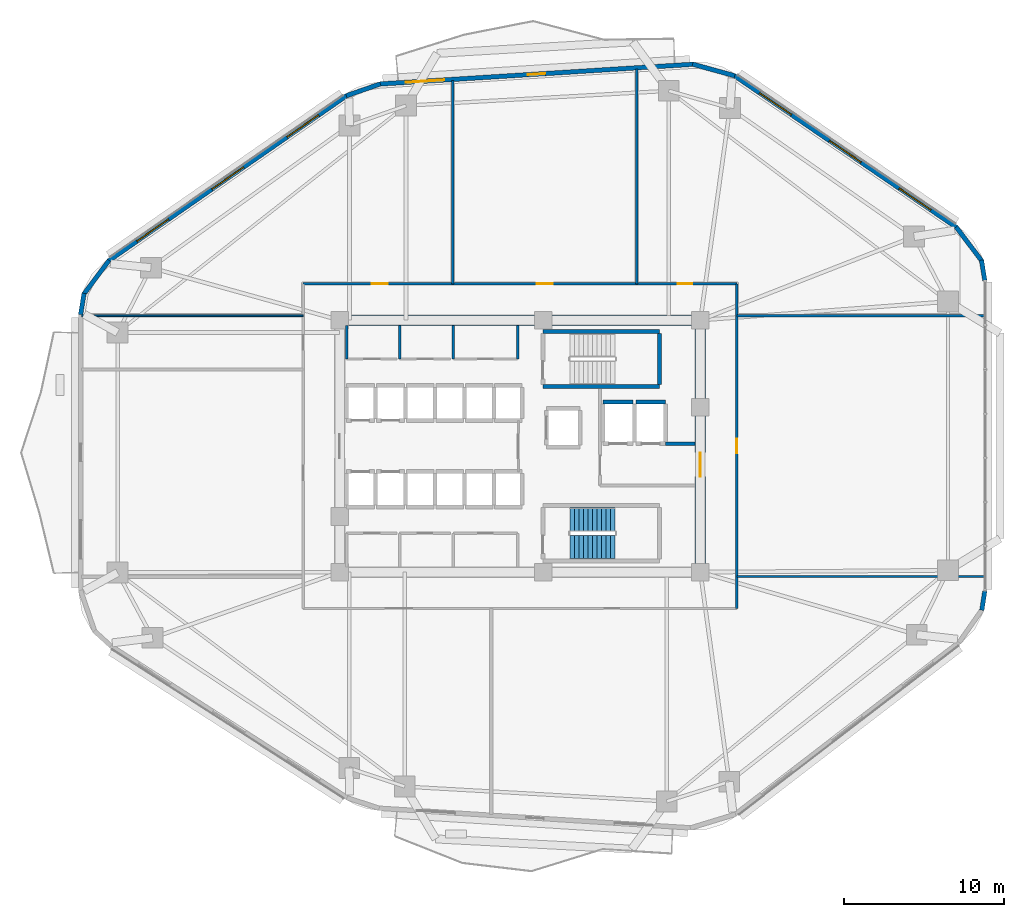
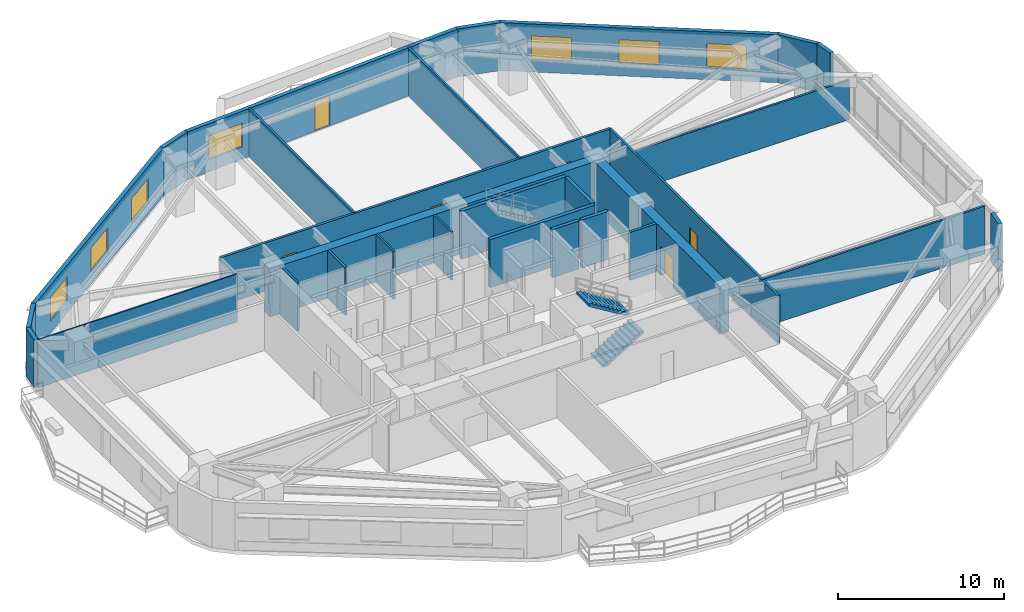
# One storey, part 10 of 14: 29 walls, 7 windows, 6 doors, 2 stair flights, 13 openings, 1 element without a shape of its own.
"""IFC4 building model written with IfcOpenShell, lengths in metres."""

from ifc_helpers import new_model, si_unit, direction, frame, frame_2d, origin, place, context, subcontext, project, spatial, polyline, rectangle, outline, extrude, material, layer, layer_set, type_object, element, fill, aggregate, save


model = new_model("IFC4")

# Units and contexts
model_context = context("Model", 3, precision=1e-05, world=origin(), true_north=direction((0.0, 1.0)))
body_context = subcontext(model_context, "Body", "Model", "MODEL_VIEW")
ifc_project = project(units=[si_unit("LENGTHUNIT", "METRE"), si_unit("AREAUNIT", "SQUARE_METRE"), si_unit("VOLUMEUNIT", "CUBIC_METRE"), si_unit("PLANEANGLEUNIT", "RADIAN"), si_unit("MASSUNIT", "GRAM", prefix="KILO")], contexts=[model_context])

# Site, building, storey
site_placement = place(None, origin())
site = spatial("IfcSite", under=ifc_project, at=site_placement, CompositionType="ELEMENT")
building_placement = place(site_placement, origin())
building = spatial("IfcBuilding", under=site, at=building_placement, Name="Zulverin Broadcast Headquarters", CompositionType="ELEMENT")
storey_placement = place(building_placement, frame((0.0, 0.0, 40.199951171875)))
storey = spatial("IfcBuildingStorey", under=building, at=storey_placement, Name="L09", CompositionType="ELEMENT", Elevation=40.199951171875)

# Wall
ifc_material_1 = material(Name="Concrete C60/75", Category="concrete")
ifc_layer_1 = layer(ifc_material_1, 0.64990234375, Name="Concrete C60/75", Category="concrete")
ifc_layer_set_1 = layer_set([ifc_layer_1], Name="Concrete C60/75")
wall_type_1 = type_object("IfcWallType", Name="WL-CORE-650", PredefinedType="SHEAR", material=ifc_layer_set_1)
wall_1_placement = place(storey_placement, frame((25.39990234375, 33.074951171875, 0.0), z_axis=(0.0, 0.0, 1.0), x_axis=(1.0, 0.0, 0.0)))
element("IfcWall", 1, at=wall_1_placement, inside=storey, type_object=wall_type_1, Name="L09 Core North Shear Wall", PredefinedType="SHEAR", context=body_context, shape_type="SweptSolid", body=[
    extrude(rectangle(XDim=23.2001953125, YDim=0.64990234375, at=frame_2d((11.60009765625, 0.0))), origin(), (0.0, 0.0, 1.0), 3.525146484375),
])

# Wall, opening, door
wall_2_placement = place(storey_placement, frame((48.27490234375, 17.64990234375, 0.0), z_axis=(0.0, 0.0, 1.0), x_axis=(0.0, 1.0, 0.0)))
wall_2 = element("IfcWall", 2, at=wall_2_placement, inside=storey, type_object=wall_type_1, Name="L09 Core East Shear Wall", PredefinedType="SHEAR", context=body_context, shape_type="SweptSolid", body=[
    extrude(rectangle(XDim=15.10009765625, YDim=0.64990234375, at=frame_2d((7.550048828125, 0.0))), origin(), (0.0, 0.0, 1.0), 3.525146484375),
])
opening_1_placement = place(wall_2_placement, frame((5.64990234375, 0.0, 0.0)))
opening_1 = element("IfcOpeningElement", 3, at=opening_1_placement, cuts=wall_2, Name="Opening D-L09-CE1", PredefinedType="OPENING", context=body_context, shape_type="SweptSolid", body=[
    extrude(rectangle(XDim=1.5, YDim=2.14990234375, at=frame_2d((0.75, 1.074951171875))), frame((0.0, 0.3349609375, 0.0), z_axis=(0.0, -1.0, 0.0), x_axis=(1.0, 0.0, 0.0)), (0.0, 0.0, 1.0), 0.669921875),
])
ifc_material_2 = material(Name="Fire-rated glazed steel frame", Category="steel")
door_type_1 = type_object("IfcDoorType", Name="DR-COR-1500", OperationType="DOUBLE_DOOR_SINGLE_SWING", PredefinedType="DOOR", material=ifc_material_2)
door_1_placement = place(opening_1_placement, origin())
door_1 = element("IfcDoor", 4, at=door_1_placement, inside=storey, type_object=door_type_1, Name="L09 Firefighting Lobby East Corridor Door", OperationType="DOUBLE_DOOR_SINGLE_SWING", OverallHeight=2.14990234375, OverallWidth=1.5, PredefinedType="DOOR", context=body_context, shape_type="SweptSolid", body=[
    extrude(rectangle(XDim=1.5, YDim=2.14990234375, at=frame_2d((0.75, 1.074951171875))), frame((0.0, 0.02490234375, 0.0), z_axis=(0.0, -1.0, 0.0), x_axis=(1.0, 0.0, 0.0)), (0.0, 0.0, 1.0), 0.050048828125),
])
fill(opening_1, door_1)

# Wall, openings, windows
ifc_material_3 = material(Name="Insulated pale-metal clad concrete spandrel C40/50", Category="concrete")
ifc_layer_2 = layer(ifc_material_3, 0.280029296875, Name="Insulated pale-metal clad concrete spandrel C40/50", Category="concrete")
ifc_layer_set_2 = layer_set([ifc_layer_2], Name="Insulated pale-metal clad concrete spandrel C40/50")
wall_type_2 = type_object("IfcWallType", Name="WL-EXT-280", PredefinedType="STANDARD", material=ifc_layer_set_2)
wall_3_placement = place(storey_placement, frame((64.289794921875, 38.8671875, 0.0), z_axis=(0.0, 0.0, 1.0), x_axis=(-0.825755550159, 0.564028165416, 0.0)))
wall_3 = element("IfcWall", 5, at=wall_3_placement, inside=storey, type_object=wall_type_2, Name="L09 Pale-Metal Clad Spandrel Wall 4", PredefinedType="STANDARD", context=body_context, shape_type="SweptSolid", body=[
    extrude(rectangle(XDim=16.848388671875, YDim=0.280029296875, at=frame_2d((8.42431640625, 0.0))), origin(), (0.0, 0.0, 1.0), 3.525146484375),
])
opening_2_placement = place(wall_3_placement, frame((1.94140625, 0.0, 0.89990234375)))
opening_2 = element("IfcOpeningElement", 6, at=opening_2_placement, cuts=wall_3, Name="Opening W-L09-E41", PredefinedType="OPENING", context=body_context, shape_type="SweptSolid", body=[
    extrude(rectangle(XDim=2.39990234375, YDim=1.75, at=frame_2d((1.199951171875, 0.875))), frame((0.0, 0.14990234375, 0.0), z_axis=(0.0, -1.0, 0.0), x_axis=(1.0, 0.0, 0.0)), (0.0, 0.0, 1.0), 0.300048828125),
])
opening_3_placement = place(wall_3_placement, frame((7.22412109375, 0.0, 0.89990234375)))
opening_3 = element("IfcOpeningElement", 7, at=opening_3_placement, cuts=wall_3, Name="Opening W-L09-E42", PredefinedType="OPENING", context=body_context, shape_type="SweptSolid", body=[
    extrude(rectangle(XDim=2.39990234375, YDim=1.75, at=frame_2d((1.199951171875, 0.875))), frame((0.0, 0.14990234375, 0.0), z_axis=(0.0, -1.0, 0.0), x_axis=(1.0, 0.0, 0.0)), (0.0, 0.0, 1.0), 0.300048828125),
])
opening_4_placement = place(wall_3_placement, frame((12.5068359375, 0.0, 0.89990234375)))
opening_4 = element("IfcOpeningElement", 8, at=opening_4_placement, cuts=wall_3, Name="Opening W-L09-E43", PredefinedType="OPENING", context=body_context, shape_type="SweptSolid", body=[
    extrude(rectangle(XDim=2.39990234375, YDim=1.75, at=frame_2d((1.199951171875, 0.875))), frame((0.0, 0.14990234375, 0.0), z_axis=(0.0, -1.0, 0.0), x_axis=(1.0, 0.0, 0.0)), (0.0, 0.0, 1.0), 0.300048828125),
])
ifc_material_4 = material(Name="Pale anodized aluminium frame with solar-control low-E double glazing", Category="aluminium")
window_type = type_object("IfcWindowType", Name="WIN-RIB-2400", PartitioningType="SINGLE_PANEL", PredefinedType="WINDOW", material=ifc_material_4)
window_1_placement = place(opening_2_placement, origin())
window_1 = element("IfcWindow", 9, at=window_1_placement, inside=storey, type_object=window_type, Name="L09 Ribbon Glazing Window 4 1", OverallHeight=1.75, OverallWidth=2.39990234375, PartitioningType="SINGLE_PANEL", PredefinedType="WINDOW", context=body_context, shape_type="SweptSolid", body=[
    extrude(rectangle(XDim=2.39990234375, YDim=1.75, at=frame_2d((1.199951171875, 0.875))), frame((0.0, 0.030029296875, 0.0), z_axis=(0.0, -1.0, 0.0), x_axis=(1.0, 0.0, 0.0)), (0.0, 0.0, 1.0), 0.06005859375),
])
fill(opening_2, window_1)
window_2_placement = place(opening_3_placement, origin())
window_2 = element("IfcWindow", 10, at=window_2_placement, inside=storey, type_object=window_type, Name="L09 Ribbon Glazing Window 4 2", OverallHeight=1.75, OverallWidth=2.39990234375, PartitioningType="SINGLE_PANEL", PredefinedType="WINDOW", context=body_context, shape_type="SweptSolid", body=[
    extrude(rectangle(XDim=2.39990234375, YDim=1.75, at=frame_2d((1.199951171875, 0.875))), frame((0.0, 0.030029296875, 0.0), z_axis=(0.0, -1.0, 0.0), x_axis=(1.0, 0.0, 0.0)), (0.0, 0.0, 1.0), 0.06005859375),
])
fill(opening_3, window_2)
window_3_placement = place(opening_4_placement, origin())
window_3 = element("IfcWindow", 11, at=window_3_placement, inside=storey, type_object=window_type, Name="L09 Ribbon Glazing Window 4 3", OverallHeight=1.75, OverallWidth=2.39990234375, PartitioningType="SINGLE_PANEL", PredefinedType="WINDOW", context=body_context, shape_type="SweptSolid", body=[
    extrude(rectangle(XDim=2.39990234375, YDim=1.75, at=frame_2d((1.199951171875, 0.875))), frame((0.0, 0.030029296875, 0.0), z_axis=(0.0, -1.0, 0.0), x_axis=(1.0, 0.0, 0.0)), (0.0, 0.0, 1.0), 0.06005859375),
])
fill(opening_4, window_3)

# Wall, openings, door, window
wall_4_placement = place(storey_placement, frame((47.831787109375, 49.0693359375, 0.0), z_axis=(0.0, 0.0, 1.0), x_axis=(-0.998017725054, -0.062933460723, 0.0)))
wall_4 = element("IfcWall", 12, at=wall_4_placement, inside=storey, type_object=wall_type_2, Name="L09 Pale-Metal Clad Spandrel Wall 5", PredefinedType="STANDARD", context=body_context, shape_type="SweptSolid", body=[
    extrude(rectangle(XDim=19.62939453125, YDim=0.280029296875, at=frame_2d((9.814697265625, 0.0))), origin(), (0.0, 0.0, 1.0), 3.525146484375),
])
opening_5_placement = place(wall_4_placement, frame((9.264892578125, 0.0, 0.0)))
opening_5 = element("IfcOpeningElement", 13, at=opening_5_placement, cuts=wall_4, Name="Opening D-L09-TR5", PredefinedType="OPENING", context=body_context, shape_type="SweptSolid", body=[
    extrude(rectangle(XDim=1.10009765625, YDim=2.199951171875, at=frame_2d((0.550048828125, 1.10009765625))), frame((0.0, 0.14990234375, 0.0), z_axis=(0.0, -1.0, 0.0), x_axis=(1.0, 0.0, 0.0)), (0.0, 0.0, 1.0), 0.300048828125),
])
opening_6_placement = place(wall_4_placement, frame((15.6044921875, 0.0, 0.89990234375)))
opening_6 = element("IfcOpeningElement", 14, at=opening_6_placement, cuts=wall_4, Name="Opening W-L09-E51", PredefinedType="OPENING", context=body_context, shape_type="SweptSolid", body=[
    extrude(rectangle(XDim=2.39990234375, YDim=1.75, at=frame_2d((1.199951171875, 0.875))), frame((0.0, 0.14990234375, 0.0), z_axis=(0.0, -1.0, 0.0), x_axis=(1.0, 0.0, 0.0)), (0.0, 0.0, 1.0), 0.300048828125),
])
ifc_material_5 = material(Name="Thermally broken aluminium glazed", Category="aluminium")
door_type_2 = type_object("IfcDoorType", Name="DR-TERR-1100", OperationType="SINGLE_SWING_RIGHT", PredefinedType="DOOR", material=ifc_material_5)
door_2_placement = place(opening_5_placement, origin())
door_2 = element("IfcDoor", 15, at=door_2_placement, inside=storey, type_object=door_type_2, Name="L09 Planted Terrace Glazed Access Door 5", OperationType="SINGLE_SWING_RIGHT", OverallHeight=2.199951171875, OverallWidth=1.10009765625, PredefinedType="DOOR", context=body_context, shape_type="SweptSolid", body=[
    extrude(rectangle(XDim=1.10009765625, YDim=2.199951171875, at=frame_2d((0.550048828125, 1.10009765625))), frame((0.0, 0.02490234375, 0.0), z_axis=(0.0, -1.0, 0.0), x_axis=(1.0, 0.0, 0.0)), (0.0, 0.0, 1.0), 0.050048828125),
])
fill(opening_5, door_2)
window_4_placement = place(opening_6_placement, origin())
window_4 = element("IfcWindow", 16, at=window_4_placement, inside=storey, type_object=window_type, Name="L09 Ribbon Glazing Window 5 1", OverallHeight=1.75, OverallWidth=2.39990234375, PartitioningType="SINGLE_PANEL", PredefinedType="WINDOW", context=body_context, shape_type="SweptSolid", body=[
    extrude(rectangle(XDim=2.39990234375, YDim=1.75, at=frame_2d((1.199951171875, 0.875))), frame((0.0, 0.030029296875, 0.0), z_axis=(0.0, -1.0, 0.0), x_axis=(1.0, 0.0, 0.0)), (0.0, 0.0, 1.0), 0.06005859375),
])
fill(opening_6, window_4)

# Wall, openings, windows
wall_5_placement = place(storey_placement, frame((26.181884765625, 47.11767578125, 0.0), z_axis=(0.0, 0.0, 1.0), x_axis=(-0.821547956627, -0.570139417127, 0.0)))
wall_5 = element("IfcWall", 17, at=wall_5_placement, inside=storey, type_object=wall_type_2, Name="L09 Pale-Metal Clad Spandrel Wall 6", PredefinedType="STANDARD", context=body_context, shape_type="SweptSolid", body=[
    extrude(rectangle(XDim=18.13232421875, YDim=0.280029296875, at=frame_2d((9.066162109375, 0.0))), origin(), (0.0, 0.0, 1.0), 3.525146484375),
])
opening_7_placement = place(wall_5_placement, frame((2.155517578125, 0.0, 0.89990234375)))
opening_7 = element("IfcOpeningElement", 18, at=opening_7_placement, cuts=wall_5, Name="Opening W-L09-E61", PredefinedType="OPENING", context=body_context, shape_type="SweptSolid", body=[
    extrude(rectangle(XDim=2.39990234375, YDim=1.75, at=frame_2d((1.199951171875, 0.875))), frame((0.0, 0.14990234375, 0.0), z_axis=(0.0, -1.0, 0.0), x_axis=(1.0, 0.0, 0.0)), (0.0, 0.0, 1.0), 0.300048828125),
])
opening_8_placement = place(wall_5_placement, frame((7.8662109375, 0.0, 0.89990234375)))
opening_8 = element("IfcOpeningElement", 19, at=opening_8_placement, cuts=wall_5, Name="Opening W-L09-E62", PredefinedType="OPENING", context=body_context, shape_type="SweptSolid", body=[
    extrude(rectangle(XDim=2.39990234375, YDim=1.75, at=frame_2d((1.199951171875, 0.875))), frame((0.0, 0.14990234375, 0.0), z_axis=(0.0, -1.0, 0.0), x_axis=(1.0, 0.0, 0.0)), (0.0, 0.0, 1.0), 0.300048828125),
])
opening_9_placement = place(wall_5_placement, frame((13.576904296875, 0.0, 0.89990234375)))
opening_9 = element("IfcOpeningElement", 20, at=opening_9_placement, cuts=wall_5, Name="Opening W-L09-E63", PredefinedType="OPENING", context=body_context, shape_type="SweptSolid", body=[
    extrude(rectangle(XDim=2.39990234375, YDim=1.75, at=frame_2d((1.199951171875, 0.875))), frame((0.0, 0.14990234375, 0.0), z_axis=(0.0, -1.0, 0.0), x_axis=(1.0, 0.0, 0.0)), (0.0, 0.0, 1.0), 0.300048828125),
])
window_5_placement = place(opening_7_placement, origin())
window_5 = element("IfcWindow", 21, at=window_5_placement, inside=storey, type_object=window_type, Name="L09 Ribbon Glazing Window 6 1", OverallHeight=1.75, OverallWidth=2.39990234375, PartitioningType="SINGLE_PANEL", PredefinedType="WINDOW", context=body_context, shape_type="SweptSolid", body=[
    extrude(rectangle(XDim=2.39990234375, YDim=1.75, at=frame_2d((1.199951171875, 0.875))), frame((0.0, 0.030029296875, 0.0), z_axis=(0.0, -1.0, 0.0), x_axis=(1.0, 0.0, 0.0)), (0.0, 0.0, 1.0), 0.06005859375),
])
fill(opening_7, window_5)
window_6_placement = place(opening_8_placement, origin())
window_6 = element("IfcWindow", 22, at=window_6_placement, inside=storey, type_object=window_type, Name="L09 Ribbon Glazing Window 6 2", OverallHeight=1.75, OverallWidth=2.39990234375, PartitioningType="SINGLE_PANEL", PredefinedType="WINDOW", context=body_context, shape_type="SweptSolid", body=[
    extrude(rectangle(XDim=2.39990234375, YDim=1.75, at=frame_2d((1.199951171875, 0.875))), frame((0.0, 0.030029296875, 0.0), z_axis=(0.0, -1.0, 0.0), x_axis=(1.0, 0.0, 0.0)), (0.0, 0.0, 1.0), 0.06005859375),
])
fill(opening_8, window_6)
window_7_placement = place(opening_9_placement, origin())
window_7 = element("IfcWindow", 23, at=window_7_placement, inside=storey, type_object=window_type, Name="L09 Ribbon Glazing Window 6 3", OverallHeight=1.75, OverallWidth=2.39990234375, PartitioningType="SINGLE_PANEL", PredefinedType="WINDOW", context=body_context, shape_type="SweptSolid", body=[
    extrude(rectangle(XDim=2.39990234375, YDim=1.75, at=frame_2d((1.199951171875, 0.875))), frame((0.0, 0.030029296875, 0.0), z_axis=(0.0, -1.0, 0.0), x_axis=(1.0, 0.0, 0.0)), (0.0, 0.0, 1.0), 0.06005859375),
])
fill(opening_9, window_7)

# Walls
wall_6_placement = place(storey_placement, frame((65.867431640625, 14.942626953125, 0.0), z_axis=(0.0, 0.0, 1.0), x_axis=(0.152102600021, 0.988364709541, 0.0)))
element("IfcWall", 24, at=wall_6_placement, inside=storey, type_object=wall_type_2, Name="L09 Wind-Shaped Corner Spandrel Wall 2-2", PredefinedType="STANDARD", context=body_context, shape_type="SweptSolid", body=[
    extrude(rectangle(XDim=1.2119140625, YDim=0.280029296875, at=frame_2d((0.60595703125, 0.0))), origin(), (0.0, 0.0, 1.0), 3.525146484375),
])
wall_7_placement = place(storey_placement, frame((66.051513671875, 35.55615234375, 0.0), z_axis=(0.0, 0.0, 1.0), x_axis=(-0.161357776207, 0.98689597631, 0.0)))
element("IfcWall", 25, at=wall_7_placement, inside=storey, type_object=wall_type_2, Name="L09 Wind-Shaped Corner Spandrel Wall 3-1", PredefinedType="STANDARD", context=body_context, shape_type="SweptSolid", body=[
    extrude(rectangle(XDim=1.2890625, YDim=0.280029296875, at=frame_2d((0.64453125, 0.0))), origin(), (0.0, 0.0, 1.0), 3.525146484375),
])
wall_8_placement = place(storey_placement, frame((65.8701171875, 36.7666015625, 0.0), z_axis=(0.0, 0.0, 1.0), x_axis=(-0.603370463754, 0.797461023166, 0.0)))
element("IfcWall", 26, at=wall_8_placement, inside=storey, type_object=wall_type_2, Name="L09 Wind-Shaped Corner Spandrel Wall 3-2", PredefinedType="STANDARD", context=body_context, shape_type="SweptSolid", body=[
    extrude(rectangle(XDim=2.6728515625, YDim=0.280029296875, at=frame_2d((1.33642578125, 0.0))), origin(), (0.0, 0.0, 1.0), 3.525146484375),
])
wall_9_placement = place(storey_placement, frame((50.419189453125, 48.3505859375, 0.0), z_axis=(0.0, 0.0, 1.0), x_axis=(-0.964254516967, 0.264977784933, 0.0)))
element("IfcWall", 27, at=wall_9_placement, inside=storey, type_object=wall_type_2, Name="L09 Wind-Shaped Corner Spandrel Wall 4-1", PredefinedType="STANDARD", context=body_context, shape_type="SweptSolid", body=[
    extrude(rectangle(XDim=2.73095703125, YDim=0.280029296875, at=frame_2d((1.365478515625, 0.0))), origin(), (0.0, 0.0, 1.0), 3.525146484375),
])
wall_10_placement = place(storey_placement, frame((28.2783203125, 47.841552734375, 0.0), z_axis=(0.0, 0.0, 1.0), x_axis=(-0.9444559001, -0.328638179106, 0.0)))
element("IfcWall", 28, at=wall_10_placement, inside=storey, type_object=wall_type_2, Name="L09 Wind-Shaped Corner Spandrel Wall 5-1", PredefinedType="STANDARD", context=body_context, shape_type="SweptSolid", body=[
    extrude(rectangle(XDim=2.25537109375, YDim=0.280029296875, at=frame_2d((1.127685546875, 0.0))), origin(), (0.0, 0.0, 1.0), 3.525146484375),
])
wall_11_placement = place(storey_placement, frame((11.317626953125, 36.81103515625, 0.0), z_axis=(0.0, 0.0, 1.0), x_axis=(-0.599455152629, -0.800408345775, 0.0)))
element("IfcWall", 29, at=wall_11_placement, inside=storey, type_object=wall_type_2, Name="L09 Wind-Shaped Corner Spandrel Wall 6-1", PredefinedType="STANDARD", context=body_context, shape_type="SweptSolid", body=[
    extrude(rectangle(XDim=2.6533203125, YDim=0.280029296875, at=frame_2d((1.32666015625, 0.0))), origin(), (0.0, 0.0, 1.0), 3.525146484375),
])
wall_12_placement = place(storey_placement, frame((9.753173828125, 34.748779296875, 0.0), z_axis=(0.0, 0.0, 1.0), x_axis=(-0.160037671962, -0.987110907423, 0.0)))
element("IfcWall", 30, at=wall_12_placement, inside=storey, type_object=wall_type_2, Name="L09 Wind-Shaped Corner Spandrel Wall 6-2", PredefinedType="STANDARD", context=body_context, shape_type="SweptSolid", body=[
    extrude(rectangle(XDim=1.343994140625, YDim=0.280029296875, at=frame_2d((0.671875, 0.0))), origin(), (0.0, 0.0, 1.0), 3.525146484375),
])
ifc_material_6 = material(Name="Concrete C40/50", Category="concrete")
ifc_layer_3 = layer(ifc_material_6, 0.199951171875, Name="Concrete C40/50", Category="concrete")
ifc_layer_set_3 = layer_set([ifc_layer_3], Name="Concrete C40/50")
wall_type_3 = type_object("IfcWallType", Name="WL-FFL-200", PredefinedType="SOLIDWALL", material=ifc_layer_set_3)
wall_13_placement = place(storey_placement, frame((46.10009765625, 25.35009765625, 0.0), z_axis=(0.0, 0.0, 1.0), x_axis=(1.0, 0.0, 0.0)))
element("IfcWall", 31, at=wall_13_placement, inside=storey, type_object=wall_type_3, Name="L09 Firefighting Lift Lobby North Wall", PredefinedType="SOLIDWALL", context=body_context, shape_type="SweptSolid", body=[
    extrude(rectangle(XDim=1.849853515625, YDim=0.199951171875, at=frame_2d((0.9248046875, 0.0))), origin(), (0.0, 0.0, 1.0), 3.525146484375),
])
ifc_material_7 = material(Name="Fire-rated acoustic laminated glass screen", Category="glass")
ifc_layer_4 = layer(ifc_material_7, 0.10009765625, Name="Fire-rated acoustic laminated glass screen", Category="glass")
ifc_layer_set_4 = layer_set([ifc_layer_4], Name="Fire-rated acoustic laminated glass screen")
wall_type_4 = type_object("IfcWallType", Name="WL-GLAZ-100", PredefinedType="PARTITIONING", material=ifc_layer_set_4)
wall_14_placement = place(storey_placement, frame((9.60498046875, 33.35009765625, 0.0), z_axis=(0.0, 0.0, 1.0), x_axis=(1.0, 0.0, 0.0)))
element("IfcWall", 32, at=wall_14_placement, inside=storey, type_object=wall_type_4, Name="L09 Room Partition Wall RP-10", PredefinedType="PARTITIONING", context=body_context, shape_type="SweptSolid", body=[
    extrude(rectangle(XDim=13.844970703125, YDim=0.10009765625, at=frame_2d((6.92236328125, 0.0))), origin(), (0.0, 0.0, 1.0), 3.525146484375),
])
ifc_material_8 = material(Name="Fire-rated gypsum stud partition", Category="gypsum")
ifc_layer_5 = layer(ifc_material_8, 0.14990234375, Name="Fire-rated gypsum stud partition", Category="gypsum")
ifc_layer_set_5 = layer_set([ifc_layer_5], Name="Fire-rated gypsum stud partition")
wall_type_5 = type_object("IfcWallType", Name="WL-PART-150", PredefinedType="PARTITIONING", material=ifc_layer_set_5)
for number, where, z_axis, x_axis, name in (
    (33, (26.169921875, 30.64990234375, 0.0), (0.0, 0.0, 1.0), (0.0, 1.0, 0.0), "L09 Core Male WC West Wall"),
    (34, (29.47998046875, 30.64990234375, 0.0), (0.0, 0.0, 1.0), (0.0, 1.0, 0.0), "L09 Core Accessible WC West Wall"),
    (35, (32.830078125, 30.64990234375, 0.0), (0.0, 0.0, 1.0), (0.0, 1.0, 0.0), "L09 Core Electrical Distribution Riser West Wall"),
    (36, (36.85009765625, 30.64990234375, 0.0), (0.0, 0.0, 1.0), (0.0, 1.0, 0.0), "L09 Core Electrical Distribution Riser East Wall"),
):
    element("IfcWall", number, at=place(storey_placement, frame(where, z_axis=z_axis, x_axis=x_axis)), inside=storey, type_object=wall_type_5, Name=name, PredefinedType="PARTITIONING", context=body_context, shape_type="SweptSolid", body=[
        extrude(rectangle(XDim=2.10009765625, YDim=0.14990234375, at=frame_2d((1.050048828125, 0.0))), origin(), (0.0, 0.0, 1.0), 3.525146484375),
    ])

# Wall, opening, door
wall_15_placement = place(storey_placement, frame((50.550048828125, 15.050048828125, 0.0), z_axis=(0.0, 0.0, 1.0), x_axis=(0.0, 1.0, 0.0)))
wall_15 = element("IfcWall", 37, at=wall_15_placement, inside=storey, type_object=wall_type_5, Name="L09 Gallery Partition Wall CG-01", PredefinedType="PARTITIONING", context=body_context, shape_type="SweptSolid", body=[
    extrude(rectangle(XDim=20.300048828125, YDim=0.14990234375, at=frame_2d((10.14990234375, 0.0))), origin(), (0.0, 0.0, 1.0), 3.525146484375),
])
opening_10_placement = place(wall_15_placement, frame((9.699951171875, 0.0, 0.0)))
opening_10 = element("IfcOpeningElement", 38, at=opening_10_placement, cuts=wall_15, Name="Opening D-L09-08", PredefinedType="OPENING", context=body_context, shape_type="SweptSolid", body=[
    extrude(rectangle(XDim=0.89990234375, YDim=2.10009765625, at=frame_2d((0.449951171875, 1.050048828125))), frame((0.0, 0.0849609375, 0.0), z_axis=(0.0, -1.0, 0.0), x_axis=(1.0, 0.0, 0.0)), (0.0, 0.0, 1.0), 0.169921875),
])
ifc_material_9 = material(Name="Fire-rated hardwood veneer timber leaf", Category="wood")
door_type_3 = type_object("IfcDoorType", Name="DR-ROOM-900", OperationType="SINGLE_SWING_RIGHT", PredefinedType="DOOR", material=ifc_material_9)
door_3_placement = place(opening_10_placement, origin())
door_3 = element("IfcDoor", 39, at=door_3_placement, inside=storey, type_object=door_type_3, Name="L09 Visitor Reception Door", OperationType="SINGLE_SWING_LEFT", OverallHeight=2.10009765625, OverallWidth=0.89990234375, PredefinedType="DOOR", context=body_context, shape_type="SweptSolid", body=[
    extrude(rectangle(XDim=0.89990234375, YDim=2.10009765625, at=frame_2d((0.449951171875, 1.050048828125))), frame((0.0, 0.02490234375, 0.0), z_axis=(0.0, -1.0, 0.0), x_axis=(1.0, 0.0, 0.0)), (0.0, 0.0, 1.0), 0.050048828125),
])
fill(opening_10, door_3)

# Walls
wall_16_placement = place(storey_placement, frame((44.300048828125, 35.35009765625, 0.0), z_axis=(0.0, 0.0, 1.0), x_axis=(0.0, 1.0, 0.0)))
element("IfcWall", 40, at=wall_16_placement, inside=storey, type_object=wall_type_5, Name="L09 Room Partition Wall RP-02", PredefinedType="PARTITIONING", context=body_context, shape_type="SweptSolid", body=[
    extrude(rectangle(XDim=13.431884765625, YDim=0.14990234375, at=frame_2d((6.7158203125, 0.0))), origin(), (0.0, 0.0, 1.0), 3.525146484375),
])
wall_17_placement = place(storey_placement, frame((32.800048828125, 35.35009765625, 0.0), z_axis=(0.0, 0.0, 1.0), x_axis=(0.0, 1.0, 0.0)))
element("IfcWall", 41, at=wall_17_placement, inside=storey, type_object=wall_type_5, Name="L09 Room Partition Wall RP-04", PredefinedType="PARTITIONING", context=body_context, shape_type="SweptSolid", body=[
    extrude(rectangle(XDim=12.70654296875, YDim=0.14990234375, at=frame_2d((6.353271484375, 0.0))), origin(), (0.0, 0.0, 1.0), 3.525146484375),
])
wall_18_placement = place(storey_placement, frame((50.550048828125, 17.050048828125, 0.0), z_axis=(0.0, 0.0, 1.0), x_axis=(1.0, 0.0, 0.0)))
element("IfcWall", 42, at=wall_18_placement, inside=storey, type_object=wall_type_5, Name="L09 Room Partition Wall RP-08", PredefinedType="PARTITIONING", context=body_context, shape_type="SweptSolid", body=[
    extrude(rectangle(XDim=15.445068359375, YDim=0.14990234375, at=frame_2d((7.72265625, 0.0))), origin(), (0.0, 0.0, 1.0), 3.525146484375),
])
wall_19_placement = place(storey_placement, frame((50.550048828125, 33.35009765625, 0.0), z_axis=(0.0, 0.0, 1.0), x_axis=(1.0, 0.0, 0.0)))
element("IfcWall", 43, at=wall_19_placement, inside=storey, type_object=wall_type_5, Name="L09 Room Partition Wall RP-11", PredefinedType="PARTITIONING", context=body_context, shape_type="SweptSolid", body=[
    extrude(rectangle(XDim=15.445068359375, YDim=0.14990234375, at=frame_2d((7.72265625, 0.0))), origin(), (0.0, 0.0, 1.0), 2.907958984375),
])

# Wall, openings, doors
ifc_material_10 = material(Name="Fire-rated acoustic stud wall", Category="gypsum")
ifc_layer_6 = layer(ifc_material_10, 0.175048828125, Name="Fire-rated acoustic stud wall", Category="gypsum")
ifc_layer_set_6 = layer_set([ifc_layer_6], Name="Fire-rated acoustic stud wall")
wall_type_6 = type_object("IfcWallType", Name="WL-PART-175", PredefinedType="PARTITIONING", material=ifc_layer_set_6)
wall_20_placement = place(storey_placement, frame((23.449951171875, 35.35009765625, 0.0), z_axis=(0.0, 0.0, 1.0), x_axis=(1.0, 0.0, 0.0)))
wall_20 = element("IfcWall", 44, at=wall_20_placement, inside=storey, type_object=wall_type_6, Name="L09 Gallery Partition Wall CG-12", PredefinedType="PARTITIONING", context=body_context, shape_type="SweptSolid", body=[
    extrude(rectangle(XDim=27.10009765625, YDim=0.175048828125, at=frame_2d((13.550048828125, 0.0))), origin(), (0.0, 0.0, 1.0), 3.525146484375),
])
opening_11_placement = place(wall_20_placement, frame((4.294921875, 0.0, 0.0)))
opening_11 = element("IfcOpeningElement", 45, at=opening_11_placement, cuts=wall_20, Name="Opening D-L09-01", PredefinedType="OPENING", context=body_context, shape_type="SweptSolid", body=[
    extrude(rectangle(XDim=1.0, YDim=2.1201171875, at=frame_2d((0.5, 1.06005859375))), frame((0.0, 0.097412109375, 0.0), z_axis=(0.0, -1.0, 0.0), x_axis=(1.0, 0.0, 0.0)), (0.0, 0.0, 1.0), 0.195068359375),
])
opening_12_placement = place(wall_20_placement, frame((14.60009765625, 0.0, 0.0)))
opening_12 = element("IfcOpeningElement", 46, at=opening_12_placement, cuts=wall_20, Name="Opening D-L09-02", PredefinedType="OPENING", context=body_context, shape_type="SweptSolid", body=[
    extrude(rectangle(XDim=1.0, YDim=2.1201171875, at=frame_2d((0.5, 1.06005859375))), frame((0.0, 0.097412109375, 0.0), z_axis=(0.0, -1.0, 0.0), x_axis=(1.0, 0.0, 0.0)), (0.0, 0.0, 1.0), 0.195068359375),
])
opening_13_placement = place(wall_20_placement, frame((23.405029296875, 0.0, 0.0)))
opening_13 = element("IfcOpeningElement", 47, at=opening_13_placement, cuts=wall_20, Name="Opening D-L09-03", PredefinedType="OPENING", context=body_context, shape_type="SweptSolid", body=[
    extrude(rectangle(XDim=0.89990234375, YDim=2.10009765625, at=frame_2d((0.449951171875, 1.050048828125))), frame((0.0, 0.097412109375, 0.0), z_axis=(0.0, -1.0, 0.0), x_axis=(1.0, 0.0, 0.0)), (0.0, 0.0, 1.0), 0.195068359375),
])
ifc_material_11 = material(Name="Hardwood veneer acoustic leaf", Category="wood")
door_type_4 = type_object("IfcDoorType", Name="DR-OFF-1000", OperationType="SINGLE_SWING_LEFT", PredefinedType="DOOR", material=ifc_material_11)
door_4_placement = place(opening_11_placement, origin())
door_4 = element("IfcDoor", 48, at=door_4_placement, inside=storey, type_object=door_type_4, Name="L09 Radio Broadcast Office Door", OperationType="SINGLE_SWING_RIGHT", OverallHeight=2.1201171875, OverallWidth=1.0, PredefinedType="DOOR", context=body_context, shape_type="SweptSolid", body=[
    extrude(rectangle(XDim=1.0, YDim=2.1201171875, at=frame_2d((0.5, 1.06005859375))), frame((0.0, 0.02490234375, 0.0), z_axis=(0.0, -1.0, 0.0), x_axis=(1.0, 0.0, 0.0)), (0.0, 0.0, 1.0), 0.050048828125),
])
fill(opening_11, door_4)
door_5_placement = place(opening_12_placement, origin())
door_5 = element("IfcDoor", 49, at=door_5_placement, inside=storey, type_object=door_type_4, Name="L09 Regional News Workplace Door", OperationType="SINGLE_SWING_LEFT", OverallHeight=2.1201171875, OverallWidth=1.0, PredefinedType="DOOR", context=body_context, shape_type="SweptSolid", body=[
    extrude(rectangle(XDim=1.0, YDim=2.1201171875, at=frame_2d((0.5, 1.06005859375))), frame((0.0, 0.02490234375, 0.0), z_axis=(0.0, -1.0, 0.0), x_axis=(1.0, 0.0, 0.0)), (0.0, 0.0, 1.0), 0.050048828125),
])
fill(opening_12, door_5)
door_6_placement = place(opening_13_placement, origin())
door_6 = element("IfcDoor", 50, at=door_6_placement, inside=storey, type_object=door_type_3, Name="L09 Briefing Room Door", OperationType="SINGLE_SWING_RIGHT", OverallHeight=2.10009765625, OverallWidth=0.89990234375, PredefinedType="DOOR", context=body_context, shape_type="SweptSolid", body=[
    extrude(rectangle(XDim=0.89990234375, YDim=2.10009765625, at=frame_2d((0.449951171875, 1.050048828125))), frame((0.0, 0.02490234375, 0.0), z_axis=(0.0, -1.0, 0.0), x_axis=(1.0, 0.0, 0.0)), (0.0, 0.0, 1.0), 0.050048828125),
])
fill(opening_13, door_6)

# Walls
ifc_material_12 = material(Name="Concrete C50/60", Category="concrete")
ifc_layer_7 = layer(ifc_material_12, 0.25, Name="Concrete C50/60", Category="concrete")
ifc_layer_set_7 = layer_set([ifc_layer_7], Name="Concrete C50/60")
wall_type_7 = type_object("IfcWallType", Name="WL-SHAFT-250", PredefinedType="SHEAR", material=ifc_layer_set_7)
for number, where, z_axis, x_axis, name in (
    (51, (38.425048828125, 28.925048828125, 0.0), (0.0, 0.0, 1.0), (1.0, 0.0, 0.0), "L09 ST-1 Enclosure Wall S"),
    (52, (38.425048828125, 32.375, 0.0), (0.0, 0.0, 1.0), (1.0, 0.0, 0.0), "L09 ST-1 Enclosure Wall N"),
):
    element("IfcWall", number, at=place(storey_placement, frame(where, z_axis=z_axis, x_axis=x_axis)), inside=storey, type_object=wall_type_7, Name=name, PredefinedType="SHEAR", context=body_context, shape_type="SweptSolid", body=[
        extrude(rectangle(XDim=7.300048828125, YDim=0.25, at=frame_2d((3.64990234375, 0.0))), origin(), (0.0, 0.0, 1.0), 3.525146484375),
    ])
wall_21_placement = place(storey_placement, frame((45.72509765625, 29.050048828125, 0.0), z_axis=(0.0, 0.0, 1.0), x_axis=(0.0, 1.0, 0.0)))
element("IfcWall", 53, at=wall_21_placement, inside=storey, type_object=wall_type_7, Name="L09 ST-1 Enclosure Wall E", PredefinedType="SHEAR", context=body_context, shape_type="SweptSolid", body=[
    extrude(rectangle(XDim=3.199951171875, YDim=0.25, at=frame_2d((1.60009765625, 0.0))), origin(), (0.0, 0.0, 1.0), 3.525146484375),
])
for number, where, z_axis, x_axis, name in (
    (54, (42.199951171875, 27.949951171875, 0.0), (0.0, 0.0, 1.0), (1.0, 0.0, 0.0), "L09 Lift FFL-1 Shaft Wall N"),
    (55, (44.25, 27.949951171875, 0.0), (0.0, 0.0, 1.0), (1.0, 0.0, 0.0), "L09 Lift FFL-2 Shaft Wall N"),
):
    element("IfcWall", number, at=place(storey_placement, frame(where, z_axis=z_axis, x_axis=x_axis)), inside=storey, type_object=wall_type_7, Name=name, PredefinedType="SHEAR", context=body_context, shape_type="SweptSolid", body=[
        extrude(rectangle(XDim=1.85009765625, YDim=0.25, at=frame_2d((0.925048828125, 0.0))), origin(), (0.0, 0.0, 1.0), 3.525146484375),
    ])

# Stair, stair flights
stair_type = type_object("IfcStairType", Name="ST-CORE-1500", PredefinedType="HALF_TURN_STAIR", material=ifc_material_6)
stair_placement = place(storey_placement, origin())
stair = element("IfcStair", 56, at=stair_placement, inside=storey, type_object=stair_type, Name="L09 Core Exit Stair ST-2", PredefinedType="HALF_TURN_STAIR")
stair_flight_type = type_object("IfcStairFlightType", Name="SF-CORE-1500", PredefinedType="STRAIGHT", material=ifc_material_6)
stair_flight_1_placement = place(storey_placement, frame((40.1298828125, 18.89990234375, 0.0), z_axis=(0.0, 0.0, 1.0), x_axis=(1.0, 0.0, 0.0)))
stair_flight_1 = element("IfcStairFlight", 57, at=stair_flight_1_placement, type_object=stair_flight_type, Name="ST-2 flight 1", NumberOfRisers=11, NumberOfTreads=10, PredefinedType="STRAIGHT", RiserHeight=0.172727273, TreadLength=0.28, context=body_context, shape_type="SweptSolid", body=[
    extrude(outline(polyline([(0.0, 0.0), (0.0, 0.172607421875), (0.280029296875, 0.172607421875), (0.280029296875, 0.345458984375), (0.56005859375, 0.345458984375), (0.56005859375, 0.51806640625), (0.840087890625, 0.51806640625), (0.840087890625, 0.69091796875), (1.1201171875, 0.69091796875), (1.1201171875, 0.863525390625), (1.39990234375, 0.863525390625), (1.39990234375, 1.036376953125), (1.679931640625, 1.036376953125), (1.679931640625, 1.208984375), (1.9599609375, 1.208984375), (1.9599609375, 1.3818359375), (2.239990234375, 1.3818359375), (2.239990234375, 1.554443359375), (2.52001953125, 1.554443359375), (2.52001953125, 1.727294921875), (2.800048828125, 1.727294921875), (2.800048828125, 1.89990234375), (2.800048828125, 1.551025390625), (0.285400390625, 0.0), (0.0, 0.0)])), frame((0.0, 0.75, 0.0), z_axis=(0.0, -1.0, 0.0), x_axis=(1.0, 0.0, 0.0)), (0.0, 0.0, 1.0), 1.5),
])
stair_flight_2_placement = place(storey_placement, frame((42.929931640625, 20.60009765625, 1.900146484375), z_axis=(0.0, 0.0, 1.0), x_axis=(-1.0, 0.0, 0.0)))
stair_flight_2 = element("IfcStairFlight", 58, at=stair_flight_2_placement, type_object=stair_flight_type, Name="ST-2 flight 2", NumberOfRisers=11, NumberOfTreads=10, PredefinedType="STRAIGHT", RiserHeight=0.172727273, TreadLength=0.28, context=body_context, shape_type="SweptSolid", body=[
    extrude(outline(polyline([(0.0, 0.0), (0.0, 0.172607421875), (0.280029296875, 0.172607421875), (0.280029296875, 0.345458984375), (0.56005859375, 0.345458984375), (0.56005859375, 0.51806640625), (0.840087890625, 0.51806640625), (0.840087890625, 0.69091796875), (1.1201171875, 0.69091796875), (1.1201171875, 0.863525390625), (1.39990234375, 0.863525390625), (1.39990234375, 1.036376953125), (1.679931640625, 1.036376953125), (1.679931640625, 1.208984375), (1.9599609375, 1.208984375), (1.9599609375, 1.3818359375), (2.239990234375, 1.3818359375), (2.239990234375, 1.554443359375), (2.52001953125, 1.554443359375), (2.52001953125, 1.727294921875), (2.800048828125, 1.727294921875), (2.800048828125, 1.89990234375), (2.800048828125, 1.551025390625), (0.285400390625, 0.0), (0.0, 0.0)])), frame((0.0, 0.75, 0.0), z_axis=(0.0, -1.0, 0.0), x_axis=(1.0, 0.0, 0.0)), (0.0, 0.0, 1.0), 1.5),
])
aggregate(stair, [stair_flight_1, stair_flight_2])

save(model, "model.ifc")
